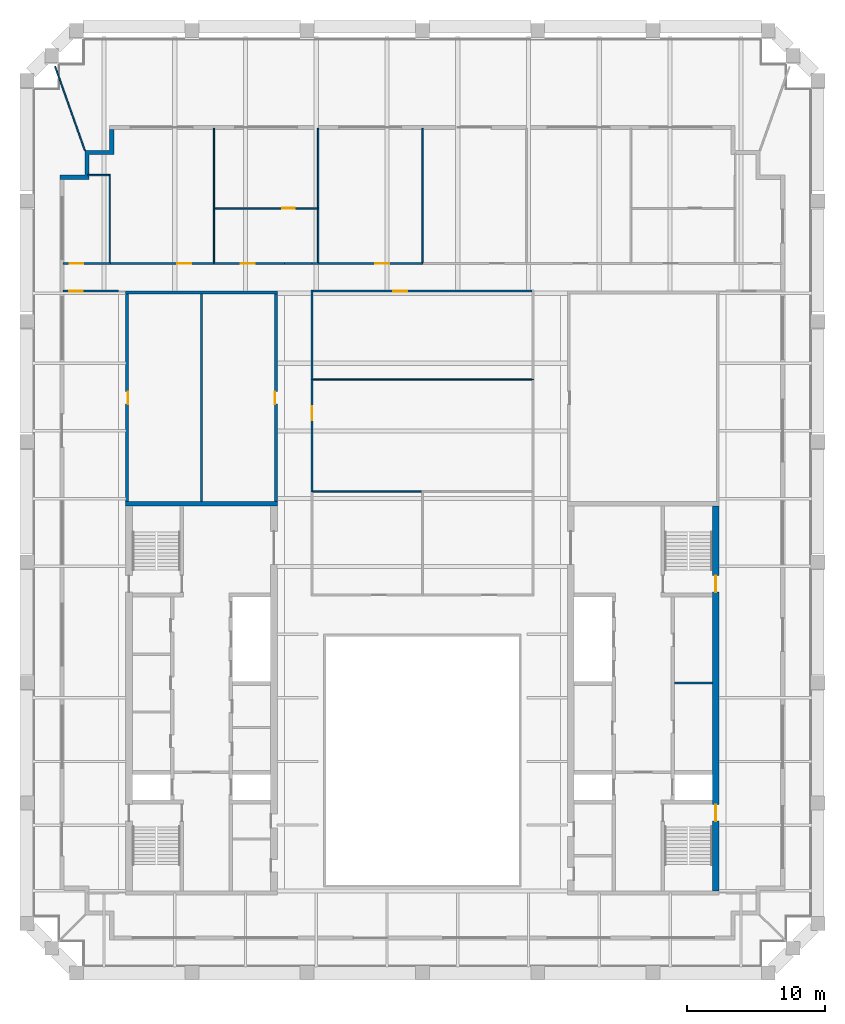
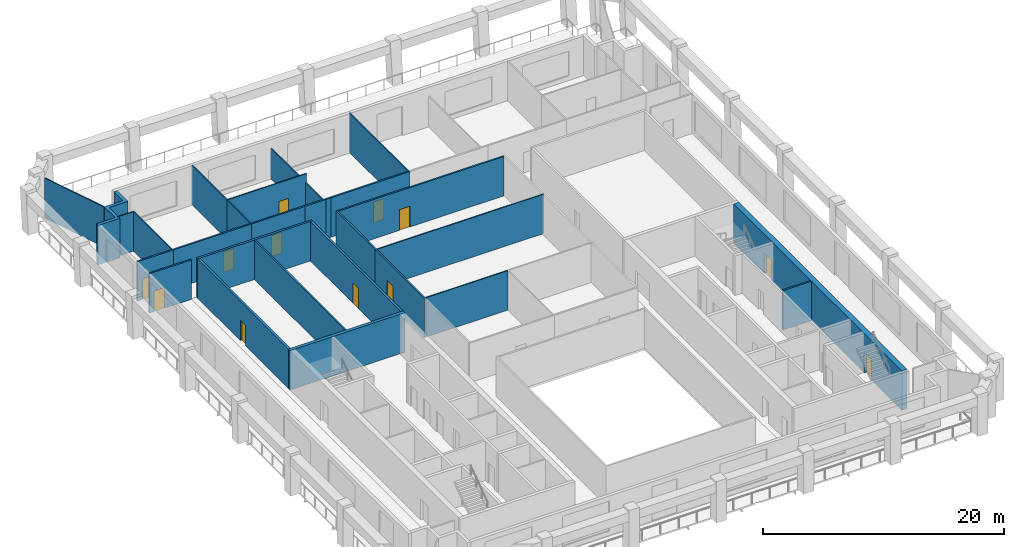
# One storey, part 5 of 8: 29 walls, 12 doors, 12 openings.
"""IFC4 building model written with IfcOpenShell, lengths in metres."""

from ifc_helpers import new_model, si_unit, direction, frame, frame_2d, origin, place, context, subcontext, project, spatial, polyline, rectangle, outline, extrude, material, layer, layer_set, type_object, element, fill, save


model = new_model("IFC4")

# Units and contexts
model_context = context("Model", 3, precision=1e-05, world=origin(), true_north=direction((0.0, 1.0)))
body_context = subcontext(model_context, "Body", "Model", "MODEL_VIEW")
ifc_project = project(units=[si_unit("LENGTHUNIT", "METRE"), si_unit("AREAUNIT", "SQUARE_METRE"), si_unit("VOLUMEUNIT", "CUBIC_METRE"), si_unit("PLANEANGLEUNIT", "RADIAN"), si_unit("MASSUNIT", "GRAM", prefix="KILO")], contexts=[model_context])

# Site, building, storey
site_placement = place(None, origin())
site = spatial("IfcSite", under=ifc_project, at=site_placement, CompositionType="ELEMENT")
building_placement = place(site_placement, origin())
building = spatial("IfcBuilding", under=site, at=building_placement, Name="Ogive Exchange Tower", CompositionType="ELEMENT")
storey_placement = place(building_placement, frame((0.0, 0.0, 351.0)))
storey = spatial("IfcBuildingStorey", under=building, at=storey_placement, Name="L77", CompositionType="ELEMENT", Elevation=351.0)

# Walls
ifc_material_1 = material(Name="Gypsum board partition")
ifc_layer_1 = layer(ifc_material_1, 0.14990234375)
ifc_layer_set_1 = layer_set([ifc_layer_1], Name="Core room partition 150 gypsum")
wall_type_1 = type_object("IfcWallType", Name="Core room partition 150 gypsum", PredefinedType="PARTITIONING", material=ifc_layer_set_1)
wall_1_placement = place(storey_placement, frame((-16.0, 25.75, 0.0), z_axis=(0.0, 0.0, 1.0), x_axis=(0.0, 1.0, 0.0)))
element("IfcWall", 1, at=wall_1_placement, inside=storey, type_object=wall_type_1, Name="W annex N column wall", PredefinedType="PARTITIONING", context=body_context, shape_type="SweptSolid", body=[
    extrude(rectangle(XDim=15.050048828125, YDim=0.14990234375, at=frame_2d((7.52490234375, 0.0))), origin(), (0.0, 0.0, 1.0), 4.0),
])
wall_2_placement = place(storey_placement, frame((18.25, 12.60009765625, 0.0), z_axis=(0.0, 0.0, 1.0), x_axis=(1.0, 0.0, 0.0)))
element("IfcWall", 2, at=wall_2_placement, inside=storey, type_object=wall_type_1, Name="E row A bay partition 1-1", PredefinedType="PARTITIONING", context=body_context, shape_type="SweptSolid", body=[
    extrude(rectangle(XDim=2.75, YDim=0.14990234375, at=frame_2d((1.375, 0.0))), origin(), (0.0, 0.0, 1.0), 4.0),
])

# Wall, opening, door
ifc_material_2 = material(Name="Fire partition EI 60 150")
ifc_layer_2 = layer(ifc_material_2, 0.14990234375)
ifc_layer_set_2 = layer_set([ifc_layer_2], Name="Fire partition EI 60 150")
wall_type_2 = type_object("IfcWallType", Name="Fire partition EI 60 150", PredefinedType="PARTITIONING", material=ifc_layer_set_2)
wall_3_placement = place(storey_placement, frame((-26.050048828125, 43.0, 0.0), z_axis=(0.0, 0.0, 1.0), x_axis=(1.0, 0.0, 0.0)))
wall_3 = element("IfcWall", 3, at=wall_3_placement, inside=storey, type_object=wall_type_2, Name="L77-PWL-001", PredefinedType="PARTITIONING", context=body_context, shape_type="SweptSolid", body=[
    extrude(rectangle(XDim=3.449951171875, YDim=0.14990234375, at=frame_2d((1.72509765625, 0.0))), origin(), (0.0, 0.0, 1.0), 4.0),
])
opening_1_placement = place(wall_3_placement, frame((0.5, 0.0, 0.0)))
opening_1 = element("IfcOpeningElement", 4, at=opening_1_placement, cuts=wall_3, Name="Opening L77-I10", PredefinedType="OPENING", context=body_context, shape_type="SweptSolid", body=[
    extrude(rectangle(XDim=1.0, YDim=2.10009765625, at=frame_2d((0.5, 1.050048828125))), frame((0.0, 0.0849609375, 0.0), z_axis=(0.0, -1.0, 0.0), x_axis=(1.0, 0.0, 0.0)), (0.0, 0.0, 1.0), 0.169921875),
])
ifc_material_3 = material(Name="Fire door FD 30S 1000 x 2100")
door_type_1 = type_object("IfcDoorType", Name="Fire door FD 30S 1000 x 2100", OperationType="NOTDEFINED", PredefinedType="DOOR", material=ifc_material_3)
door_1_placement = place(opening_1_placement, origin())
door_1 = element("IfcDoor", 5, at=door_1_placement, inside=storey, type_object=door_type_1, Name="L77-IDR-010", ObjectType="DT3", OperationType="SINGLE_SWING_RIGHT", OverallHeight=2.10009765625, OverallWidth=1.0, PredefinedType="DOOR", context=body_context, shape_type="SweptSolid", body=[
    extrude(rectangle(XDim=1.0, YDim=2.10009765625, at=frame_2d((0.5, 1.050048828125))), frame((0.0, 0.02490234375, 0.0), z_axis=(0.0, -1.0, 0.0), x_axis=(1.0, 0.0, 0.0)), (0.0, 0.0, 1.0), 0.050048828125),
])
fill(opening_1, door_1)

wall_4_placement = place(storey_placement, frame((-22.64990234375, 43.0, 0.0), z_axis=(0.0, 0.0, 1.0), x_axis=(1.0, 0.0, 0.0)))
wall_4 = element("IfcWall", 6, at=wall_4_placement, inside=storey, type_object=wall_type_2, Name="L77-PWL-004", PredefinedType="PARTITIONING", context=body_context, shape_type="SweptSolid", body=[
    extrude(rectangle(XDim=7.599853515625, YDim=0.14990234375, at=frame_2d((3.7998046875, 0.0))), origin(), (0.0, 0.0, 1.0), 4.0),
])
opening_2_placement = place(wall_4_placement, frame((4.89990234375, 0.0, 0.0)))
opening_2 = element("IfcOpeningElement", 7, at=opening_2_placement, cuts=wall_4, Name="Opening L77-I09", PredefinedType="OPENING", context=body_context, shape_type="SweptSolid", body=[
    extrude(rectangle(XDim=1.0, YDim=2.10009765625, at=frame_2d((0.5, 1.050048828125))), frame((0.0, 0.0849609375, 0.0), z_axis=(0.0, -1.0, 0.0), x_axis=(1.0, 0.0, 0.0)), (0.0, 0.0, 1.0), 0.169921875),
])
door_2_placement = place(opening_2_placement, origin())
door_2 = element("IfcDoor", 8, at=door_2_placement, inside=storey, type_object=door_type_1, Name="L77-IDR-009", ObjectType="DT3", OperationType="SINGLE_SWING_LEFT", OverallHeight=2.10009765625, OverallWidth=1.0, PredefinedType="DOOR", context=body_context, shape_type="SweptSolid", body=[
    extrude(rectangle(XDim=1.0, YDim=2.10009765625, at=frame_2d((0.5, 1.050048828125))), frame((0.0, 0.02490234375, 0.0), z_axis=(0.0, -1.0, 0.0), x_axis=(1.0, 0.0, 0.0)), (0.0, 0.0, 1.0), 0.050048828125),
])
fill(opening_2, door_2)

wall_5_placement = place(storey_placement, frame((-22.0, 41.0, 0.0), z_axis=(0.0, 0.0, 1.0), x_axis=(-1.0, 0.0, 0.0)))
wall_5 = element("IfcWall", 9, at=wall_5_placement, inside=storey, type_object=wall_type_2, Name="L77-PWL-006", PredefinedType="PARTITIONING", context=body_context, shape_type="SweptSolid", body=[
    extrude(rectangle(XDim=4.050048828125, YDim=0.14990234375, at=frame_2d((2.02490234375, 0.0))), origin(), (0.0, 0.0, 1.0), 4.0),
])
opening_3_placement = place(wall_5_placement, frame((2.60009765625, 0.0, 0.0)))
opening_3 = element("IfcOpeningElement", 10, at=opening_3_placement, cuts=wall_5, Name="Opening L77-I15", PredefinedType="OPENING", context=body_context, shape_type="SweptSolid", body=[
    extrude(rectangle(XDim=1.0, YDim=2.10009765625, at=frame_2d((0.5, 1.050048828125))), frame((0.0, 0.0849609375, 0.0), z_axis=(0.0, -1.0, 0.0), x_axis=(1.0, 0.0, 0.0)), (0.0, 0.0, 1.0), 0.169921875),
])
door_3_placement = place(opening_3_placement, origin())
door_3 = element("IfcDoor", 11, at=door_3_placement, inside=storey, type_object=door_type_1, Name="L77-IDR-015", ObjectType="DT3", OperationType="SINGLE_SWING_LEFT", OverallHeight=2.10009765625, OverallWidth=1.0, PredefinedType="DOOR", context=body_context, shape_type="SweptSolid", body=[
    extrude(rectangle(XDim=1.0, YDim=2.10009765625, at=frame_2d((0.5, 1.050048828125))), frame((0.0, 0.02490234375, 0.0), z_axis=(0.0, -1.0, 0.0), x_axis=(1.0, 0.0, 0.0)), (0.0, 0.0, 1.0), 0.050048828125),
])
fill(opening_3, door_3)

wall_6_placement = place(storey_placement, frame((-15.10009765625, 43.0, 0.0), z_axis=(0.0, 0.0, 1.0), x_axis=(1.0, 0.0, 0.0)))
wall_6 = element("IfcWall", 12, at=wall_6_placement, inside=storey, type_object=wall_type_2, Name="L77-PWL-008", PredefinedType="PARTITIONING", context=body_context, shape_type="SweptSolid", body=[
    extrude(rectangle(XDim=5.10009765625, YDim=0.14990234375, at=frame_2d((2.550048828125, 0.0))), origin(), (0.0, 0.0, 1.0), 4.0),
])
opening_4_placement = place(wall_6_placement, frame((1.949951171875, 0.0, 0.0)))
opening_4 = element("IfcOpeningElement", 13, at=opening_4_placement, cuts=wall_6, Name="Opening L77-I07", PredefinedType="OPENING", context=body_context, shape_type="SweptSolid", body=[
    extrude(rectangle(XDim=1.0, YDim=2.10009765625, at=frame_2d((0.5, 1.050048828125))), frame((0.0, 0.0849609375, 0.0), z_axis=(0.0, -1.0, 0.0), x_axis=(1.0, 0.0, 0.0)), (0.0, 0.0, 1.0), 0.169921875),
])
door_4_placement = place(opening_4_placement, origin())
door_4 = element("IfcDoor", 14, at=door_4_placement, inside=storey, type_object=door_type_1, Name="L77-IDR-007", ObjectType="DT3", OperationType="SINGLE_SWING_RIGHT", OverallHeight=2.10009765625, OverallWidth=1.0, PredefinedType="DOOR", context=body_context, shape_type="SweptSolid", body=[
    extrude(rectangle(XDim=1.0, YDim=2.10009765625, at=frame_2d((0.5, 1.050048828125))), frame((0.0, 0.02490234375, 0.0), z_axis=(0.0, -1.0, 0.0), x_axis=(1.0, 0.0, 0.0)), (0.0, 0.0, 1.0), 0.050048828125),
])
fill(opening_4, door_4)

# Wall
wall_7_placement = place(storey_placement, frame((-10.0, 43.0, 0.0), z_axis=(0.0, 0.0, 1.0), x_axis=(1.0, 0.0, 0.0)))
element("IfcWall", 15, at=wall_7_placement, inside=storey, type_object=wall_type_2, Name="L77-PWL-011", PredefinedType="PARTITIONING", context=body_context, shape_type="SweptSolid", body=[
    extrude(rectangle(XDim=2.0, YDim=0.14990234375, at=frame_2d((1.0, 0.0))), origin(), (0.0, 0.0, 1.0), 4.0),
])

# Wall, opening, door
wall_8_placement = place(storey_placement, frame((-8.0, 34.64990234375, 0.0), z_axis=(0.0, 0.0, 1.0), x_axis=(0.0, -1.0, 0.0)))
wall_8 = element("IfcWall", 16, at=wall_8_placement, inside=storey, type_object=wall_type_2, Name="L77-PWL-014", PredefinedType="PARTITIONING", context=body_context, shape_type="SweptSolid", body=[
    extrude(rectangle(XDim=8.199951171875, YDim=0.14990234375, at=frame_2d((4.10009765625, 0.0))), origin(), (0.0, 0.0, 1.0), 4.0),
])
opening_5_placement = place(wall_8_placement, frame((2.0, 0.0, 0.0)))
opening_5 = element("IfcOpeningElement", 17, at=opening_5_placement, cuts=wall_8, Name="Opening L77-I11", PredefinedType="OPENING", context=body_context, shape_type="SweptSolid", body=[
    extrude(rectangle(XDim=1.0, YDim=2.10009765625, at=frame_2d((0.5, 1.050048828125))), frame((0.0, 0.0849609375, 0.0), z_axis=(0.0, -1.0, 0.0), x_axis=(1.0, 0.0, 0.0)), (0.0, 0.0, 1.0), 0.169921875),
])
door_5_placement = place(opening_5_placement, origin())
door_5 = element("IfcDoor", 18, at=door_5_placement, inside=storey, type_object=door_type_1, Name="L77-IDR-011", ObjectType="DT3", OperationType="SINGLE_SWING_RIGHT", OverallHeight=2.10009765625, OverallWidth=1.0, PredefinedType="DOOR", context=body_context, shape_type="SweptSolid", body=[
    extrude(rectangle(XDim=1.0, YDim=2.10009765625, at=frame_2d((0.5, 1.050048828125))), frame((0.0, 0.02490234375, 0.0), z_axis=(0.0, -1.0, 0.0), x_axis=(1.0, 0.0, 0.0)), (0.0, 0.0, 1.0), 0.050048828125),
])
fill(opening_5, door_5)

# Walls
wall_9_placement = place(storey_placement, frame((-8.0, 41.074951171875, 0.0), z_axis=(0.0, 0.0, 1.0), x_axis=(0.0, -1.0, 0.0)))
element("IfcWall", 19, at=wall_9_placement, inside=storey, type_object=wall_type_2, Name="L77-PWL-016", PredefinedType="PARTITIONING", context=body_context, shape_type="SweptSolid", body=[
    extrude(rectangle(XDim=6.474853515625, YDim=0.14990234375, at=frame_2d((3.2373046875, 0.0))), origin(), (0.0, 0.0, 1.0), 4.0),
])
wall_10_placement = place(storey_placement, frame((-8.0, 43.0, 0.0), z_axis=(0.0, 0.0, 1.0), x_axis=(1.0, 0.0, 0.0)))
element("IfcWall", 20, at=wall_10_placement, inside=storey, type_object=wall_type_2, Name="L77-PWL-017", PredefinedType="PARTITIONING", context=body_context, shape_type="SweptSolid", body=[
    extrude(rectangle(XDim=0.5, YDim=0.14990234375, at=frame_2d((0.25, 0.0))), origin(), (0.0, 0.0, 1.0), 4.0),
])

# Wall, opening, door
wall_11_placement = place(storey_placement, frame((-7.550048828125, 43.0, 0.0), z_axis=(0.0, 0.0, 1.0), x_axis=(1.0, 0.0, 0.0)))
wall_11 = element("IfcWall", 21, at=wall_11_placement, inside=storey, type_object=wall_type_2, Name="L77-PWL-019", PredefinedType="PARTITIONING", context=body_context, shape_type="SweptSolid", body=[
    extrude(rectangle(XDim=7.60009765625, YDim=0.14990234375, at=frame_2d((3.800048828125, 0.0))), origin(), (0.0, 0.0, 1.0), 4.0),
])
opening_6_placement = place(wall_11_placement, frame((4.14990234375, 0.0, 0.0)))
opening_6 = element("IfcOpeningElement", 22, at=opening_6_placement, cuts=wall_11, Name="Opening L77-I06", PredefinedType="OPENING", context=body_context, shape_type="SweptSolid", body=[
    extrude(rectangle(XDim=1.0, YDim=2.10009765625, at=frame_2d((0.5, 1.050048828125))), frame((0.0, 0.0849609375, 0.0), z_axis=(0.0, -1.0, 0.0), x_axis=(1.0, 0.0, 0.0)), (0.0, 0.0, 1.0), 0.169921875),
])
door_6_placement = place(opening_6_placement, origin())
door_6 = element("IfcDoor", 23, at=door_6_placement, inside=storey, type_object=door_type_1, Name="L77-IDR-006", ObjectType="DT3", OperationType="SINGLE_SWING_LEFT", OverallHeight=2.10009765625, OverallWidth=1.0, PredefinedType="DOOR", context=body_context, shape_type="SweptSolid", body=[
    extrude(rectangle(XDim=1.0, YDim=2.10009765625, at=frame_2d((0.5, 1.050048828125))), frame((0.0, 0.02490234375, 0.0), z_axis=(0.0, -1.0, 0.0), x_axis=(1.0, 0.0, 0.0)), (0.0, 0.0, 1.0), 0.050048828125),
])
fill(opening_6, door_6)

wall_12_placement = place(storey_placement, frame((7.925048828125, 41.0, 0.0), z_axis=(0.0, 0.0, 1.0), x_axis=(-1.0, 0.0, 0.0)))
wall_12 = element("IfcWall", 24, at=wall_12_placement, inside=storey, type_object=wall_type_2, Name="L77-PWL-032", PredefinedType="PARTITIONING", context=body_context, shape_type="SweptSolid", body=[
    extrude(rectangle(XDim=15.85009765625, YDim=0.14990234375, at=frame_2d((7.925048828125, 0.0))), origin(), (0.0, 0.0, 1.0), 4.0),
])
opening_7_placement = place(wall_12_placement, frame((9.02490234375, 0.0, 0.0)))
opening_7 = element("IfcOpeningElement", 25, at=opening_7_placement, cuts=wall_12, Name="Opening L77-I12", PredefinedType="OPENING", context=body_context, shape_type="SweptSolid", body=[
    extrude(rectangle(XDim=1.0, YDim=2.10009765625, at=frame_2d((0.5, 1.050048828125))), frame((0.0, 0.0849609375, 0.0), z_axis=(0.0, -1.0, 0.0), x_axis=(1.0, 0.0, 0.0)), (0.0, 0.0, 1.0), 0.169921875),
])
door_7_placement = place(opening_7_placement, origin())
door_7 = element("IfcDoor", 26, at=door_7_placement, inside=storey, type_object=door_type_1, Name="L77-IDR-012", ObjectType="DT3", OperationType="SINGLE_SWING_RIGHT", OverallHeight=2.10009765625, OverallWidth=1.0, PredefinedType="DOOR", context=body_context, shape_type="SweptSolid", body=[
    extrude(rectangle(XDim=1.0, YDim=2.10009765625, at=frame_2d((0.5, 1.050048828125))), frame((0.0, 0.02490234375, 0.0), z_axis=(0.0, -1.0, 0.0), x_axis=(1.0, 0.0, 0.0)), (0.0, 0.0, 1.0), 0.050048828125),
])
fill(opening_7, door_7)

# Walls
ifc_material_4 = material(Name="Precast concrete C40/50", Category="concrete")
ifc_layer_3 = layer(ifc_material_4, 0.300048828125)
ifc_layer_set_3 = layer_set([ifc_layer_3], Name="Limestone-faced wall 300")
wall_type_3 = type_object("IfcWallType", Name="Limestone-faced wall 300", PredefinedType="STANDARD", material=ifc_layer_set_3)
wall_13_placement = place(storey_placement, origin())
element("IfcWall", 27, at=wall_13_placement, inside=storey, type_object=wall_type_3, Name="External corner wall C3", PredefinedType="STANDARD", context=body_context, shape_type="SweptSolid", body=[
    extrude(outline(polyline([(-24.449951171875, 49.39990234375), (-24.449951171875, 51.199951171875), (-22.64990234375, 51.199951171875), (-22.64990234375, 52.699951171875), (-22.35009765625, 52.699951171875), (-22.35009765625, 50.89990234375), (-24.14990234375, 50.89990234375), (-24.14990234375, 49.10009765625), (-26.25, 49.10009765625), (-26.25, 49.39990234375), (-24.449951171875, 49.39990234375)])), origin(), (0.0, 0.0, 1.0), 4.0),
])
ifc_material_5 = material(Name="Laminated safety glass in steel frame", Category="steel")
ifc_layer_4 = layer(ifc_material_5, 0.10009765625)
ifc_layer_set_4 = layer_set([ifc_layer_4], Name="Loggia end screen 100")
wall_type_4 = type_object("IfcWallType", Name="Loggia end screen 100", PredefinedType="STANDARD", material=ifc_layer_set_4)
wall_14_placement = place(storey_placement, frame((-24.449951171875, 51.199951171875, -0.050048828125), z_axis=(0.0, 0.0, 1.0), x_axis=(-0.334395746366, 0.942432748164, 0.0)))
element("IfcWall", 28, at=wall_14_placement, inside=storey, type_object=wall_type_4, Name="Loggia end screen C3", PredefinedType="STANDARD", context=body_context, shape_type="SweptSolid", body=[
    extrude(rectangle(XDim=6.44970703125, YDim=0.10009765625, at=frame_2d((3.224853515625, 0.0))), origin(), (0.0, 0.0, 1.0), 4.050048828125),
])
ifc_material_6 = material(Name="Partition 100 gypsum")
ifc_layer_5 = layer(ifc_material_6, 0.10009765625)
ifc_layer_set_5 = layer_set([ifc_layer_5], Name="Partition 100 gypsum")
wall_type_5 = type_object("IfcWallType", Name="Partition 100 gypsum", PredefinedType="PARTITIONING", material=ifc_layer_set_5)
wall_15_placement = place(storey_placement, frame((-22.64990234375, 43.074951171875, 0.0), z_axis=(0.0, 0.0, 1.0), x_axis=(0.0, 1.0, 0.0)))
element("IfcWall", 29, at=wall_15_placement, inside=storey, type_object=wall_type_5, Name="L77-PWL-003", PredefinedType="PARTITIONING", context=body_context, shape_type="SweptSolid", body=[
    extrude(rectangle(XDim=6.385009765625, YDim=0.10009765625, at=frame_2d((3.1923828125, 0.0))), origin(), (0.0, 0.0, 1.0), 4.0),
])
wall_16_placement = place(storey_placement, frame((-22.699951171875, 49.409912109375, 0.0), z_axis=(0.0, 0.0, 1.0), x_axis=(-1.0, 0.0, 0.0)))
element("IfcWall", 30, at=wall_16_placement, inside=storey, type_object=wall_type_5, Name="L77-PWL-005", PredefinedType="PARTITIONING", context=body_context, shape_type="SweptSolid", body=[
    extrude(rectangle(XDim=1.550048828125, YDim=0.10009765625, at=frame_2d((0.77490234375, 0.0))), origin(), (0.0, 0.0, 1.0), 4.0),
])
wall_17_placement = place(storey_placement, frame((-15.10009765625, 43.074951171875, 0.0), z_axis=(0.0, 0.0, 1.0), x_axis=(0.0, 1.0, 0.0)))
element("IfcWall", 31, at=wall_17_placement, inside=storey, type_object=wall_type_5, Name="L77-PWL-007", PredefinedType="PARTITIONING", context=body_context, shape_type="SweptSolid", body=[
    extrude(rectangle(XDim=3.875, YDim=0.10009765625, at=frame_2d((1.9375, 0.0))), origin(), (0.0, 0.0, 1.0), 4.0),
])
wall_18_placement = place(storey_placement, frame((-15.10009765625, 46.949951171875, 0.0), z_axis=(0.0, 0.0, 1.0), x_axis=(0.0, 1.0, 0.0)))
element("IfcWall", 32, at=wall_18_placement, inside=storey, type_object=wall_type_5, Name="L77-PWL-009", PredefinedType="PARTITIONING", context=body_context, shape_type="SweptSolid", body=[
    extrude(rectangle(XDim=5.85009765625, YDim=0.10009765625, at=frame_2d((2.925048828125, 0.0))), origin(), (0.0, 0.0, 1.0), 4.0),
])

# Wall, opening, door
wall_19_placement = place(storey_placement, frame((-15.050048828125, 47.0, 0.0), z_axis=(0.0, 0.0, 1.0), x_axis=(1.0, 0.0, 0.0)))
wall_19 = element("IfcWall", 33, at=wall_19_placement, inside=storey, type_object=wall_type_5, Name="L77-PWL-010", PredefinedType="PARTITIONING", context=body_context, shape_type="SweptSolid", body=[
    extrude(rectangle(XDim=7.550048828125, YDim=0.10009765625, at=frame_2d((3.77490234375, 0.0))), origin(), (0.0, 0.0, 1.0), 4.0),
])
opening_8_placement = place(wall_19_placement, frame((4.89990234375, 0.0, 0.0)))
opening_8 = element("IfcOpeningElement", 34, at=opening_8_placement, cuts=wall_19, Name="Opening L77-I08", PredefinedType="OPENING", context=body_context, shape_type="SweptSolid", body=[
    extrude(rectangle(XDim=0.89990234375, YDim=2.10009765625, at=frame_2d((0.449951171875, 1.050048828125))), frame((0.0, 0.06005859375, 0.0), z_axis=(0.0, -1.0, 0.0), x_axis=(1.0, 0.0, 0.0)), (0.0, 0.0, 1.0), 0.1201171875),
])
ifc_material_7 = material(Name="Door 900 x 2100")
door_type_2 = type_object("IfcDoorType", Name="Door 900 x 2100", OperationType="NOTDEFINED", PredefinedType="DOOR", material=ifc_material_7)
door_8_placement = place(opening_8_placement, frame((0.89990234375, 0.0, 0.0), z_axis=(0.0, 0.0, 1.0), x_axis=(-1.0, 0.0, 0.0)))
door_8 = element("IfcDoor", 35, at=door_8_placement, inside=storey, type_object=door_type_2, Name="L77-IDR-008", ObjectType="DT1", OperationType="SINGLE_SWING_RIGHT", OverallHeight=2.10009765625, OverallWidth=0.89990234375, PredefinedType="DOOR", context=body_context, shape_type="SweptSolid", body=[
    extrude(rectangle(XDim=0.89990234375, YDim=2.10009765625, at=frame_2d((0.449951171875, 1.050048828125))), frame((0.0, 0.02490234375, 0.0), z_axis=(0.0, -1.0, 0.0), x_axis=(1.0, 0.0, 0.0)), (0.0, 0.0, 1.0), 0.050048828125),
])
fill(opening_8, door_8)

# Walls
wall_20_placement = place(storey_placement, frame((-7.925048828125, 34.60009765625, 0.0), z_axis=(0.0, 0.0, 1.0), x_axis=(1.0, 0.0, 0.0)))
element("IfcWall", 36, at=wall_20_placement, inside=storey, type_object=wall_type_5, Name="L77-PWL-015", PredefinedType="PARTITIONING", context=body_context, shape_type="SweptSolid", body=[
    extrude(rectangle(XDim=16.0, YDim=0.10009765625, at=frame_2d((8.0, 0.0))), origin(), (0.0, 0.0, 1.0), 4.0),
])
wall_21_placement = place(storey_placement, frame((-7.550048828125, 43.074951171875, 0.0), z_axis=(0.0, 0.0, 1.0), x_axis=(0.0, 1.0, 0.0)))
element("IfcWall", 37, at=wall_21_placement, inside=storey, type_object=wall_type_5, Name="L77-PWL-018", PredefinedType="PARTITIONING", context=body_context, shape_type="SweptSolid", body=[
    extrude(rectangle(XDim=3.875, YDim=0.10009765625, at=frame_2d((1.9375, 0.0))), origin(), (0.0, 0.0, 1.0), 3.095947265625),
])
wall_22_placement = place(storey_placement, frame((-7.550048828125, 47.050048828125, 0.0), z_axis=(0.0, 0.0, 1.0), x_axis=(0.0, 1.0, 0.0)))
element("IfcWall", 38, at=wall_22_placement, inside=storey, type_object=wall_type_5, Name="L77-PWL-020", PredefinedType="PARTITIONING", context=body_context, shape_type="SweptSolid", body=[
    extrude(rectangle(XDim=5.75, YDim=0.10009765625, at=frame_2d((2.875, 0.0))), origin(), (0.0, 0.0, 1.0), 3.095947265625),
])
wall_23_placement = place(storey_placement, frame((-0.050048828125, 26.5, 0.0), z_axis=(0.0, 0.0, 1.0), x_axis=(-1.0, 0.0, 0.0)))
element("IfcWall", 39, at=wall_23_placement, inside=storey, type_object=wall_type_5, Name="L77-PWL-023", PredefinedType="PARTITIONING", context=body_context, shape_type="SweptSolid", body=[
    extrude(rectangle(XDim=7.875, YDim=0.10009765625, at=frame_2d((3.9375, 0.0))), origin(), (0.0, 0.0, 1.0), 4.0),
])
wall_24_placement = place(storey_placement, frame((0.0, 43.074951171875, 0.0), z_axis=(0.0, 0.0, 1.0), x_axis=(0.0, 1.0, 0.0)))
element("IfcWall", 40, at=wall_24_placement, inside=storey, type_object=wall_type_5, Name="L77-PWL-024", PredefinedType="PARTITIONING", context=body_context, shape_type="SweptSolid", body=[
    extrude(rectangle(XDim=9.72509765625, YDim=0.10009765625, at=frame_2d((4.862548828125, 0.0))), origin(), (0.0, 0.0, 1.0), 4.0),
])

# Wall, opening, door
ifc_material_8 = material(Name="Concrete C70/85", Category="concrete")
ifc_layer_6 = layer(ifc_material_8, 0.199951171875)
ifc_layer_set_6 = layer_set([ifc_layer_6], Name="RC core wall 200 C70/85")
wall_type_6 = type_object("IfcWallType", Name="RC core wall 200 C70/85", PredefinedType="SHEAR", material=ifc_layer_set_6)
wall_25_placement = place(storey_placement, frame((-21.39990234375, 25.75, 0.0), z_axis=(0.0, 0.0, 1.0), x_axis=(0.0, 1.0, 0.0)))
wall_25 = element("IfcWall", 41, at=wall_25_placement, inside=storey, type_object=wall_type_6, Name="W annex N outer wall", PredefinedType="SHEAR", context=body_context, shape_type="SweptSolid", body=[
    extrude(rectangle(XDim=15.050048828125, YDim=0.199951171875, at=frame_2d((7.52490234375, 0.0))), origin(), (0.0, 0.0, 1.0), 4.0),
])
opening_9_placement = place(wall_25_placement, frame((7.074951171875, 0.0, 0.0)))
opening_9 = element("IfcOpeningElement", 42, at=opening_9_placement, cuts=wall_25, Name="Opening L77-C19", PredefinedType="OPENING", context=body_context, shape_type="SweptSolid", body=[
    extrude(rectangle(XDim=0.89990234375, YDim=2.10009765625, at=frame_2d((0.449951171875, 1.050048828125))), frame((0.0, 0.10986328125, 0.0), z_axis=(0.0, -1.0, 0.0), x_axis=(1.0, 0.0, 0.0)), (0.0, 0.0, 1.0), 0.219970703125),
])
ifc_material_9 = material(Name="Steel fire door", Category="steel")
door_type_3 = type_object("IfcDoorType", Name="Riser door FD60 900 x 2100", OperationType="NOTDEFINED", PredefinedType="DOOR", material=ifc_material_9)
door_9_placement = place(opening_9_placement, origin())
door_9 = element("IfcDoor", 43, at=door_9_placement, inside=storey, type_object=door_type_3, Name="Riser door", ObjectType="CD2", OperationType="SINGLE_SWING_RIGHT", OverallHeight=2.10009765625, OverallWidth=0.89990234375, PredefinedType="DOOR", context=body_context, shape_type="SweptSolid", body=[
    extrude(rectangle(XDim=0.89990234375, YDim=2.10009765625, at=frame_2d((0.449951171875, 1.050048828125))), frame((0.0, -0.0498046875, 0.0), z_axis=(0.0, -1.0, 0.0), x_axis=(1.0, 0.0, 0.0)), (0.0, 0.0, 1.0), 0.050048828125),
])
fill(opening_9, door_9)

wall_26_placement = place(storey_placement, frame((-10.60009765625, 25.75, 0.0), z_axis=(0.0, 0.0, 1.0), x_axis=(0.0, 1.0, 0.0)))
wall_26 = element("IfcWall", 44, at=wall_26_placement, inside=storey, type_object=wall_type_6, Name="W annex N inner wall", PredefinedType="SHEAR", context=body_context, shape_type="SweptSolid", body=[
    extrude(rectangle(XDim=15.050048828125, YDim=0.199951171875, at=frame_2d((7.52490234375, 0.0))), origin(), (0.0, 0.0, 1.0), 4.0),
])
opening_10_placement = place(wall_26_placement, frame((7.074951171875, 0.0, 0.0)))
opening_10 = element("IfcOpeningElement", 45, at=opening_10_placement, cuts=wall_26, Name="Opening L77-C20", PredefinedType="OPENING", context=body_context, shape_type="SweptSolid", body=[
    extrude(rectangle(XDim=0.89990234375, YDim=2.10009765625, at=frame_2d((0.449951171875, 1.050048828125))), frame((0.0, 0.10986328125, 0.0), z_axis=(0.0, -1.0, 0.0), x_axis=(1.0, 0.0, 0.0)), (0.0, 0.0, 1.0), 0.219970703125),
])
door_10_placement = place(opening_10_placement, frame((0.89990234375, 0.14990234375, 0.0), z_axis=(0.0, 0.0, 1.0), x_axis=(-1.0, 0.0, 0.0)))
door_10 = element("IfcDoor", 46, at=door_10_placement, inside=storey, type_object=door_type_3, Name="Riser door", ObjectType="CD2", OperationType="SINGLE_SWING_RIGHT", OverallHeight=2.10009765625, OverallWidth=0.89990234375, PredefinedType="DOOR", context=body_context, shape_type="SweptSolid", body=[
    extrude(rectangle(XDim=0.89990234375, YDim=2.10009765625, at=frame_2d((0.449951171875, 1.050048828125))), frame((0.0, 0.10009765625, 0.0), z_axis=(0.0, -1.0, 0.0), x_axis=(1.0, 0.0, 0.0)), (0.0, 0.0, 1.0), 0.050048828125),
])
fill(opening_10, door_10)

# Walls
wall_27_placement = place(storey_placement, frame((-21.5, 40.89990234375, 0.0), z_axis=(0.0, 0.0, 1.0), x_axis=(1.0, 0.0, 0.0)))
element("IfcWall", 47, at=wall_27_placement, inside=storey, type_object=wall_type_6, Name="W annex N end wall", PredefinedType="SHEAR", context=body_context, shape_type="SweptSolid", body=[
    extrude(rectangle(XDim=11.0, YDim=0.199951171875, at=frame_2d((5.5, 0.0))), origin(), (0.0, 0.0, 1.0), 4.0),
])
ifc_layer_7 = layer(ifc_material_8, 0.300048828125)
ifc_layer_set_7 = layer_set([ifc_layer_7], Name="RC core wall 300 C70/85")
wall_type_7 = type_object("IfcWallType", Name="RC core wall 300 C70/85", PredefinedType="SHEAR", material=ifc_layer_set_7)
wall_28_placement = place(storey_placement, frame((-21.5, 25.60009765625, 0.0), z_axis=(0.0, 0.0, 1.0), x_axis=(1.0, 0.0, 0.0)))
element("IfcWall", 48, at=wall_28_placement, inside=storey, type_object=wall_type_7, Name="W north end wall", PredefinedType="SHEAR", context=body_context, shape_type="SweptSolid", body=[
    extrude(rectangle(XDim=11.0, YDim=0.300048828125, at=frame_2d((5.5, 0.0))), origin(), (0.0, 0.0, 1.0), 4.0),
])

# Wall, openings, doors
ifc_layer_8 = layer(ifc_material_8, 0.5)
ifc_layer_set_8 = layer_set([ifc_layer_8], Name="RC core wall 500 C70/85")
wall_type_8 = type_object("IfcWallType", Name="RC core wall 500 C70/85", PredefinedType="SHEAR", material=ifc_layer_set_8)
wall_29_placement = place(storey_placement, frame((21.25, -2.449951171875, 0.0), z_axis=(0.0, 0.0, 1.0), x_axis=(0.0, 1.0, 0.0)))
wall_29 = element("IfcWall", 49, at=wall_29_placement, inside=storey, type_object=wall_type_8, Name="E outer wall", PredefinedType="SHEAR", context=body_context, shape_type="SweptSolid", body=[
    extrude(rectangle(XDim=27.89990234375, YDim=0.5, at=frame_2d((13.949951171875, 0.0))), origin(), (0.0, 0.0, 1.0), 4.0),
])
opening_11_placement = place(wall_29_placement, frame((5.050048828125, 0.0, 0.0)))
opening_11 = element("IfcOpeningElement", 50, at=opening_11_placement, cuts=wall_29, Name="Opening L77-C32", PredefinedType="OPENING", context=body_context, shape_type="SweptSolid", body=[
    extrude(rectangle(XDim=1.199951171875, YDim=2.10009765625, at=frame_2d((0.60009765625, 1.050048828125))), frame((0.0, 0.260009765625, 0.0), z_axis=(0.0, -1.0, 0.0), x_axis=(1.0, 0.0, 0.0)), (0.0, 0.0, 1.0), 0.52001953125),
])
opening_12_placement = place(wall_29_placement, frame((21.64990234375, 0.0, 0.0)))
opening_12 = element("IfcOpeningElement", 51, at=opening_12_placement, cuts=wall_29, Name="Opening L77-C34", PredefinedType="OPENING", context=body_context, shape_type="SweptSolid", body=[
    extrude(rectangle(XDim=1.199951171875, YDim=2.10009765625, at=frame_2d((0.60009765625, 1.050048828125))), frame((0.0, 0.260009765625, 0.0), z_axis=(0.0, -1.0, 0.0), x_axis=(1.0, 0.0, 0.0)), (0.0, 0.0, 1.0), 0.52001953125),
])
door_type_4 = type_object("IfcDoorType", Name="Stair door FD90 1200 x 2100", OperationType="NOTDEFINED", PredefinedType="DOOR", material=ifc_material_9)
door_11_placement = place(opening_11_placement, frame((1.199951171875, 0.0, 0.0), z_axis=(0.0, 0.0, 1.0), x_axis=(-1.0, 0.0, 0.0)))
door_11 = element("IfcDoor", 52, at=door_11_placement, inside=storey, type_object=door_type_4, Name="Stair door", ObjectType="CD5", OperationType="SINGLE_SWING_LEFT", OverallHeight=2.10009765625, OverallWidth=1.199951171875, PredefinedType="DOOR", context=body_context, shape_type="SweptSolid", body=[
    extrude(rectangle(XDim=1.199951171875, YDim=2.10009765625, at=frame_2d((0.60009765625, 1.050048828125))), frame((0.0, 0.02490234375, 0.0), z_axis=(0.0, -1.0, 0.0), x_axis=(1.0, 0.0, 0.0)), (0.0, 0.0, 1.0), 0.050048828125),
])
fill(opening_11, door_11)
door_12_placement = place(opening_12_placement, frame((1.199951171875, 0.0, 0.0), z_axis=(0.0, 0.0, 1.0), x_axis=(-1.0, 0.0, 0.0)))
door_12 = element("IfcDoor", 53, at=door_12_placement, inside=storey, type_object=door_type_4, Name="Stair door", ObjectType="CD5", OperationType="SINGLE_SWING_RIGHT", OverallHeight=2.10009765625, OverallWidth=1.199951171875, PredefinedType="DOOR", context=body_context, shape_type="SweptSolid", body=[
    extrude(rectangle(XDim=1.199951171875, YDim=2.10009765625, at=frame_2d((0.60009765625, 1.050048828125))), frame((0.0, 0.02490234375, 0.0), z_axis=(0.0, -1.0, 0.0), x_axis=(1.0, 0.0, 0.0)), (0.0, 0.0, 1.0), 0.050048828125),
])
fill(opening_12, door_12)

save(model, "model.ifc")
